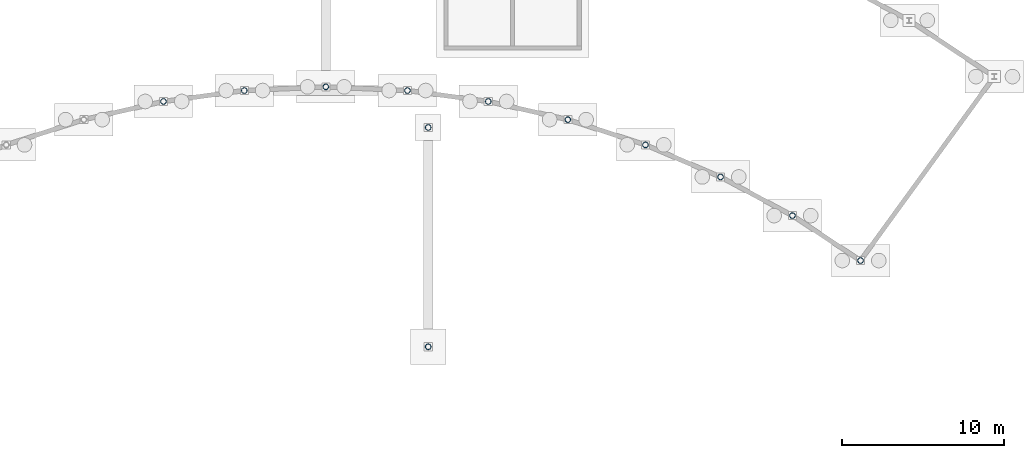
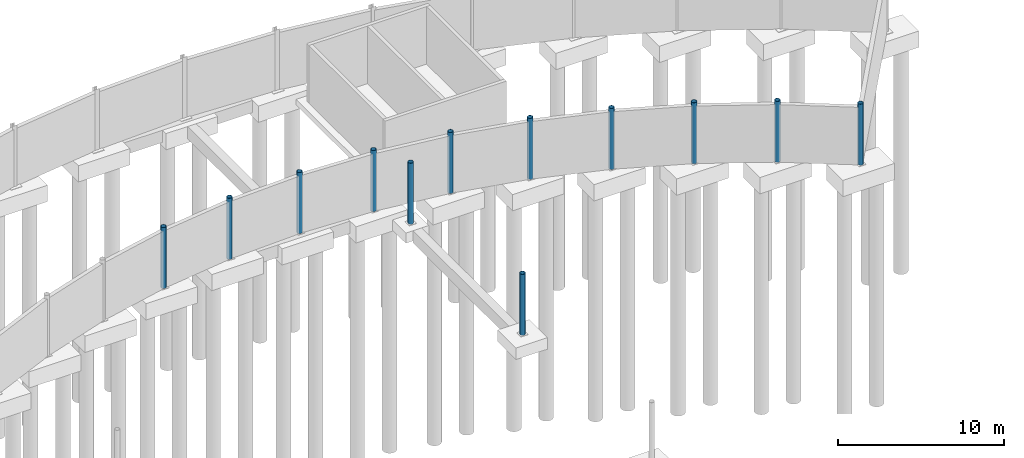
# One storey, part 18 of 41: 12 columns.
"""IFC4 building model written with IfcOpenShell, lengths in metres."""

from ifc_helpers import new_model, si_unit, direction, frame, origin, origin_2d, place, context, subcontext, project, spatial, hollow_circle, extrude, material, material_profile, profile_set, type_object, element, save


model = new_model("IFC4")

# Units and contexts
model_context = context("Model", 3, precision=1e-05, world=origin(), true_north=direction((0.0, 1.0)))
body_context = subcontext(model_context, "Body", "Model", "MODEL_VIEW")
ifc_project = project(units=[si_unit("LENGTHUNIT", "METRE"), si_unit("AREAUNIT", "SQUARE_METRE"), si_unit("VOLUMEUNIT", "CUBIC_METRE"), si_unit("PLANEANGLEUNIT", "RADIAN"), si_unit("MASSUNIT", "GRAM", prefix="KILO")], contexts=[model_context])

# Site, building, storey
site_placement = place(None, origin())
site = spatial("IfcSite", under=ifc_project, at=site_placement, CompositionType="ELEMENT")
building_placement = place(site_placement, origin())
building = spatial("IfcBuilding", under=site, at=building_placement, Name="Selat Folded Stagehouse", CompositionType="ELEMENT")
storey_placement = place(building_placement, frame((0.0, 0.0, -4.5)))
storey = spatial("IfcBuildingStorey", under=building, at=storey_placement, Name="B1", CompositionType="ELEMENT", Elevation=-4.5)

# Columns
ifc_material = material(Name="Steel S355", Category="steel")
ifc_material_profile = material_profile(ifc_material, hollow_circle(Radius=0.177734375, WallThickness=0.01611328125, at=origin_2d()), Name="CHS 355.6x16.0")
ifc_profile_set = profile_set([ifc_material_profile], Name="Steel S355")
column_type = type_object("IfcColumnType", Name="COL-CHS-355x16", PredefinedType="COLUMN", material=ifc_profile_set)
for number, where, z_axis, x_axis, name in (
    (1, (82.40087890625, 93.10009765625, 0.0), (0.0, 0.0, 1.0), (1.0, 0.0, 0.0), "B1 column STK-V6IN-05"),
    (2, (87.380126953125, 93.774658203125, 0.0), (0.0, 0.0, 1.0), (1.0, 0.0, 0.0), "B1 column STK-V6IN-06"),
    (3, (92.39990234375, 94.0, 0.0), (0.0, 0.0, 1.0), (1.0, 0.0, 0.0), "B1 column STK-V6IN-07"),
    (4, (97.419921875, 93.774658203125, 0.0), (0.0, 0.0, 1.0), (1.0, 0.0, 0.0), "B1 column STK-V6IN-08"),
    (5, (102.399169921875, 93.10009765625, 0.0), (0.0, 0.0, 1.0), (1.0, 0.0, 0.0), "B1 column STK-V6IN-09"),
    (6, (107.298095703125, 91.98193359375, 0.0), (0.0, 0.0, 1.0), (1.0, 0.0, 0.0), "B1 column STK-V6IN-10"),
    (7, (112.076904296875, 90.42919921875, 0.0), (0.0, 0.0, 1.0), (1.0, 0.0, 0.0), "B1 column STK-V6IN-11"),
    (8, (116.697509765625, 88.454345703125, 0.0), (0.0, 0.0, 1.0), (1.0, 0.0, 0.0), "B1 column STK-V6IN-12"),
    (9, (121.122314453125, 86.072998046875, 0.0), (0.0, 0.0, 1.0), (1.0, 0.0, 0.0), "B1 column STK-V6IN-13"),
    (10, (125.31591796875, 83.304931640625, 0.0), (0.0, 0.0, 1.0), (1.0, 0.0, 0.0), "B1 column STK-V6IN-14"),
    (11, (98.699951171875, 78.0, 0.0), (0.0, 0.0, 1.0), (1.0, 0.0, 0.0), "B1 column STK-BR2-780"),
    (12, (98.699951171875, 91.5, 0.0), (0.0, 0.0, 1.0), (1.0, 0.0, 0.0), "B1 column STK-BR2-915"),
):
    element("IfcColumn", number, at=place(storey_placement, frame(where, z_axis=z_axis, x_axis=x_axis)), inside=storey, type_object=column_type, Name=name, PredefinedType="COLUMN", context=body_context, shape_type="SweptSolid", body=[
        extrude(hollow_circle(Radius=0.177734375, WallThickness=0.01611328125, at=origin_2d()), origin(), (0.0, 0.0, 1.0), 4.5),
    ])

save(model, "model.ifc")
